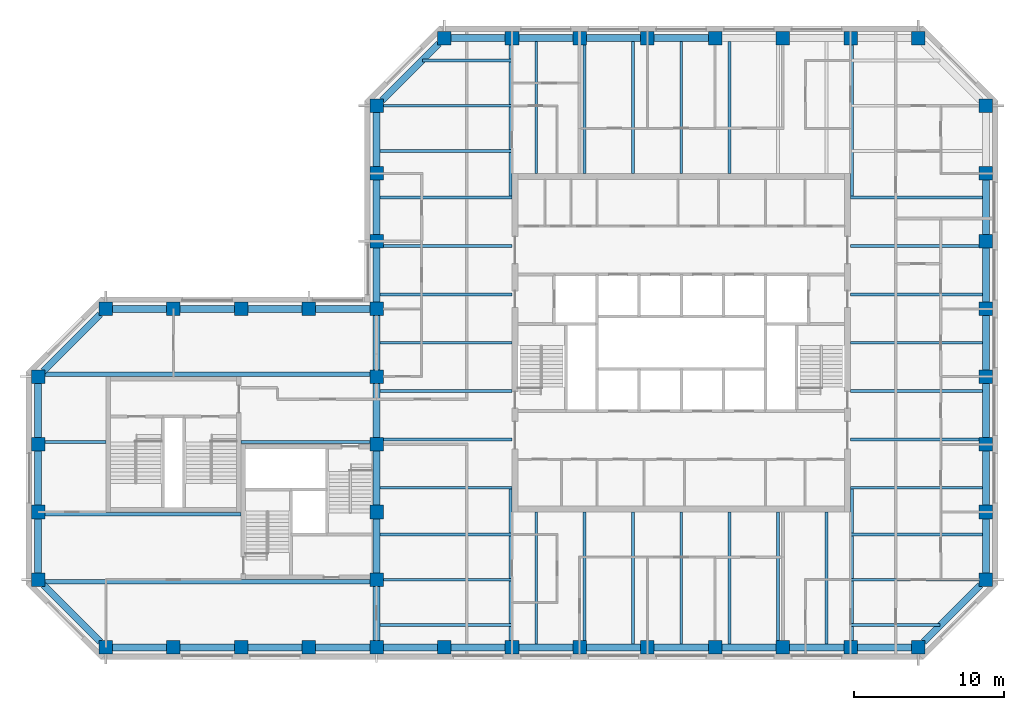
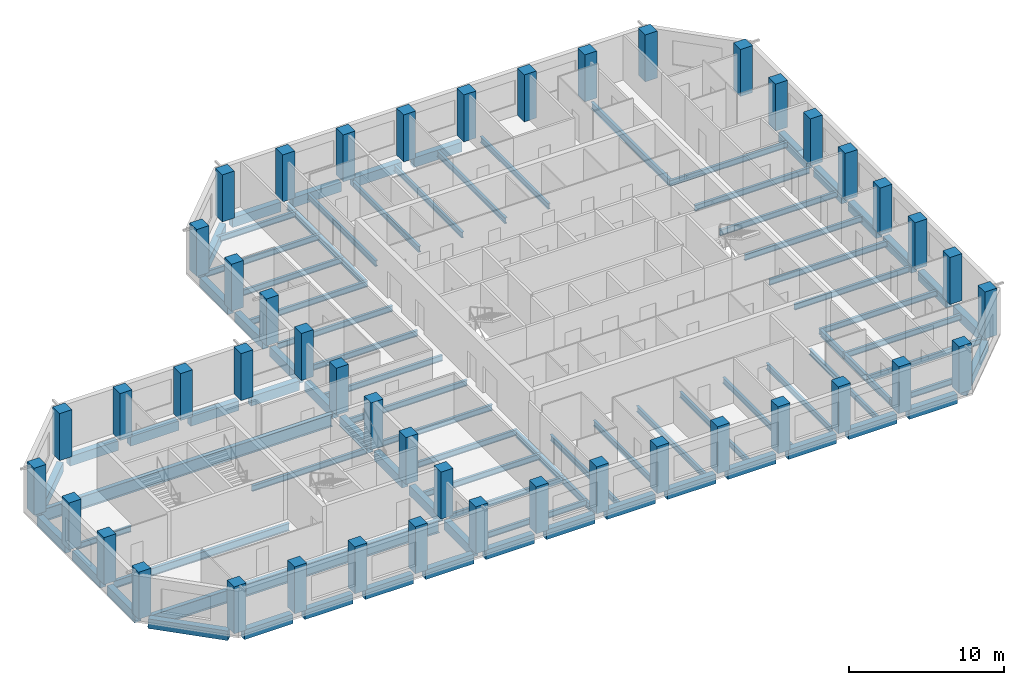
# One storey, part 1 of 10: 85 beams, 45 columns.
"""IFC4 building model written with IfcOpenShell, lengths in metres."""

from ifc_helpers import new_model, si_unit, direction, frame, origin, origin_2d, place, context, subcontext, project, spatial, rectangle, i_section, extrude, material, material_profile, profile_set, type_object, element, save


model = new_model("IFC4")

# Units and contexts
model_context = context("Model", 3, precision=1e-05, world=origin(), true_north=direction((0.0, 1.0)))
body_context = subcontext(model_context, "Body", "Model", "MODEL_VIEW")
ifc_project = project(units=[si_unit("LENGTHUNIT", "METRE"), si_unit("AREAUNIT", "SQUARE_METRE"), si_unit("VOLUMEUNIT", "CUBIC_METRE"), si_unit("PLANEANGLEUNIT", "RADIAN"), si_unit("MASSUNIT", "GRAM", prefix="KILO")], contexts=[model_context])

# Site, building, storey
site_placement = place(None, origin())
site = spatial("IfcSite", under=ifc_project, at=site_placement, CompositionType="ELEMENT")
building_placement = place(site_placement, origin())
building = spatial("IfcBuilding", under=site, at=building_placement, Name="Quoin Convention Tower", CompositionType="ELEMENT")
storey_placement = place(building_placement, frame((0.0, 0.0, 184.699951171875)))
storey = spatial("IfcBuildingStorey", under=building, at=storey_placement, Name="L48", CompositionType="ELEMENT", Elevation=184.699951171875)

# Columns
ifc_material_1 = material(Name="Concrete C50", Category="concrete")
ifc_material_profile_1 = material_profile(ifc_material_1, rectangle(XDim=0.89990234375, YDim=0.89990234375, at=origin_2d()), Name="RC 900x900")
ifc_profile_set_1 = profile_set([ifc_material_profile_1], Name="Concrete C50")
column_type = type_object("IfcColumnType", Name="RC 900x900 C50", PredefinedType="COLUMN", material=ifc_profile_set_1)
for number, where, z_axis, x_axis, name in (
    (1, (18.0, 40.5, 0.0), (0.0, 0.0, 1.0), (1.0, 0.0, 0.0), "col-L48-18000_40500"),
    (2, (22.5, 40.5, 0.0), (0.0, 0.0, 1.0), (1.0, 0.0, 0.0), "col-L48-22500_40500"),
    (3, (27.0, 40.5, 0.0), (0.0, 0.0, 1.0), (1.0, 0.0, 0.0), "col-L48-27000_40500"),
    (4, (31.5, 40.5, 0.0), (0.0, 0.0, 1.0), (1.0, 0.0, 0.0), "col-L48-31500_40500"),
    (5, (36.0, 40.5, 0.0), (0.0, 0.0, 1.0), (1.0, 0.0, 0.0), "col-L48-36000_40500"),
    (6, (40.5, 40.5, 0.0), (0.0, 0.0, 1.0), (1.0, 0.0, 0.0), "col-L48-40500_40500"),
    (7, (45.0, 40.5, 0.0), (0.0, 0.0, 1.0), (1.0, 0.0, 0.0), "col-L48-45000_40500"),
    (8, (49.5, 40.5, 0.0), (0.0, 0.0, 1.0), (1.0, 0.0, 0.0), "col-L48-49500_40500"),
    (9, (54.0, 40.5, 0.0), (0.0, 0.0, 1.0), (1.0, 0.0, 0.0), "col-L48-54000_40500"),
    (10, (58.5, 40.5, 0.0), (0.0, 0.0, 1.0), (1.0, 0.0, 0.0), "col-L48-58500_40500"),
    (11, (63.0, 40.5, 0.0), (0.0, 0.0, 1.0), (1.0, 0.0, 0.0), "col-L48-63000_40500"),
    (12, (67.5, 40.5, 0.0), (0.0, 0.0, 1.0), (1.0, 0.0, 0.0), "col-L48-67500_40500"),
    (13, (72.0, 40.5, 0.0), (0.0, 0.0, 1.0), (1.0, 0.0, 0.0), "col-L48-72000_40500"),
    (14, (13.5, 45.0, 0.0), (0.0, 0.0, 1.0), (1.0, 0.0, 0.0), "col-L48-13500_45000"),
    (15, (36.0, 45.0, 0.0), (0.0, 0.0, 1.0), (1.0, 0.0, 0.0), "web-L48-36000_45000"),
    (16, (76.5, 45.0, 0.0), (0.0, 0.0, 1.0), (1.0, 0.0, 0.0), "col-L48-76500_45000"),
    (17, (13.5, 49.5, 0.0), (0.0, 0.0, 1.0), (1.0, 0.0, 0.0), "col-L48-13500_49500"),
    (18, (36.0, 49.5, 0.0), (0.0, 0.0, 1.0), (1.0, 0.0, 0.0), "web-L48-36000_49500"),
    (19, (76.5, 49.5, 0.0), (0.0, 0.0, 1.0), (1.0, 0.0, 0.0), "col-L48-76500_49500"),
    (20, (13.5, 54.0, 0.0), (0.0, 0.0, 1.0), (1.0, 0.0, 0.0), "col-L48-13500_54000"),
    (21, (36.0, 54.0, 0.0), (0.0, 0.0, 1.0), (1.0, 0.0, 0.0), "web-L48-36000_54000"),
    (22, (76.5, 54.0, 0.0), (0.0, 0.0, 1.0), (1.0, 0.0, 0.0), "col-L48-76500_54000"),
    (23, (13.5, 58.5, 0.0), (0.0, 0.0, 1.0), (1.0, 0.0, 0.0), "col-L48-13500_58500"),
    (24, (36.0, 58.5, 0.0), (0.0, 0.0, 1.0), (1.0, 0.0, 0.0), "web-L48-36000_58500"),
    (25, (76.5, 58.5, 0.0), (0.0, 0.0, 1.0), (1.0, 0.0, 0.0), "col-L48-76500_58500"),
    (26, (18.0, 63.0, 0.0), (0.0, 0.0, 1.0), (1.0, 0.0, 0.0), "col-L48-18000_63000"),
    (27, (22.5, 63.0, 0.0), (0.0, 0.0, 1.0), (1.0, 0.0, 0.0), "col-L48-22500_63000"),
    (28, (27.0, 63.0, 0.0), (0.0, 0.0, 1.0), (1.0, 0.0, 0.0), "col-L48-27000_63000"),
    (29, (31.5, 63.0, 0.0), (0.0, 0.0, 1.0), (1.0, 0.0, 0.0), "col-L48-31500_63000"),
    (30, (36.0, 63.0, 0.0), (0.0, 0.0, 1.0), (1.0, 0.0, 0.0), "col-L48-36000_63000"),
    (31, (76.5, 63.0, 0.0), (0.0, 0.0, 1.0), (1.0, 0.0, 0.0), "col-L48-76500_63000"),
    (32, (36.0, 67.5, 0.0), (0.0, 0.0, 1.0), (1.0, 0.0, 0.0), "col-L48-36000_67500"),
    (33, (76.5, 67.5, 0.0), (0.0, 0.0, 1.0), (1.0, 0.0, 0.0), "col-L48-76500_67500"),
    (34, (36.0, 72.0, 0.0), (0.0, 0.0, 1.0), (1.0, 0.0, 0.0), "col-L48-36000_72000"),
    (35, (76.5, 72.0, 0.0), (0.0, 0.0, 1.0), (1.0, 0.0, 0.0), "col-L48-76500_72000"),
    (36, (36.0, 76.5, 0.0), (0.0, 0.0, 1.0), (1.0, 0.0, 0.0), "col-L48-36000_76500"),
    (37, (76.5, 76.5, 0.0), (0.0, 0.0, 1.0), (1.0, 0.0, 0.0), "col-L48-76500_76500"),
    (38, (40.5, 81.0, 0.0), (0.0, 0.0, 1.0), (1.0, 0.0, 0.0), "col-L48-40500_81000"),
    (39, (45.0, 81.0, 0.0), (0.0, 0.0, 1.0), (1.0, 0.0, 0.0), "col-L48-45000_81000"),
    (40, (49.5, 81.0, 0.0), (0.0, 0.0, 1.0), (1.0, 0.0, 0.0), "col-L48-49500_81000"),
    (41, (54.0, 81.0, 0.0), (0.0, 0.0, 1.0), (1.0, 0.0, 0.0), "col-L48-54000_81000"),
    (42, (58.5, 81.0, 0.0), (0.0, 0.0, 1.0), (1.0, 0.0, 0.0), "col-L48-58500_81000"),
    (43, (63.0, 81.0, 0.0), (0.0, 0.0, 1.0), (1.0, 0.0, 0.0), "col-L48-63000_81000"),
    (44, (67.5, 81.0, 0.0), (0.0, 0.0, 1.0), (1.0, 0.0, 0.0), "col-L48-67500_81000"),
    (45, (72.0, 81.0, 0.0), (0.0, 0.0, 1.0), (1.0, 0.0, 0.0), "col-L48-72000_81000"),
):
    element("IfcColumn", number, at=place(storey_placement, frame(where, z_axis=z_axis, x_axis=x_axis)), inside=storey, type_object=column_type, Name=name, PredefinedType="COLUMN", context=body_context, shape_type="SweptSolid", body=[
        extrude(rectangle(XDim=0.89990234375, YDim=0.89990234375, at=origin_2d()), origin(), (0.0, 0.0, 1.0), 3.699951171875),
    ])

# Beams
ifc_material_2 = material(Name="Steel Grade 300", Category="steel")
ifc_material_profile_2 = material_profile(ifc_material_2, i_section(OverallWidth=0.300048828125, OverallDepth=1.0, WebThickness=0.01611328125, FlangeThickness=0.02001953125, at=origin_2d()), Name="1000WB215")
ifc_profile_set_2 = profile_set([ifc_material_profile_2], Name="Steel Grade 300")
beam_type_1 = type_object("IfcBeamType", Name="1000WB215", PredefinedType="BEAM", material=ifc_profile_set_2)
for number, where, z_axis, x_axis, name in (
    (46, (13.949951171875, 44.85009765625, -0.64990234375), (1.0, 0.0, 0.0), (0.0, 1.0, 0.0), "gir-L48-ST2-1-0"),
    (47, (13.949951171875, 58.64990234375, -0.64990234375), (1.0, 0.0, 0.0), (0.0, 1.0, 0.0), "gir-L48-ST2-4-0"),
):
    element("IfcBeam", number, at=place(storey_placement, frame(where, z_axis=z_axis, x_axis=x_axis)), inside=storey, type_object=beam_type_1, Name=name, PredefinedType="BEAM", context=body_context, shape_type="SweptSolid", body=[
        extrude(i_section(OverallWidth=0.300048828125, OverallDepth=1.0, WebThickness=0.01611328125, FlangeThickness=0.02001953125, at=origin_2d()), origin(), (0.0, 0.0, 1.0), 21.60009765625),
    ])
ifc_material_profile_3 = material_profile(ifc_material_2, i_section(OverallWidth=0.18994140625, OverallDepth=0.4541015625, WebThickness=0.008544921875, FlangeThickness=0.0126953125, FilletRadius=0.011474609375, at=origin_2d()), Name="460UB67.1")
ifc_profile_set_3 = profile_set([ifc_material_profile_3], Name="Steel Grade 300")
beam_type_2 = type_object("IfcBeamType", Name="460UB67.1", PredefinedType="BEAM", material=ifc_profile_set_3)
beam_1_placement = place(storey_placement, frame((36.22509765625, 51.107177734375, -0.376953125), z_axis=(1.0, 0.0, 0.0), x_axis=(0.0, 1.0, 0.0)))
element("IfcBeam", 48, at=beam_1_placement, inside=storey, type_object=beam_type_2, Name="bm-L48-T1W0", PredefinedType="BEAM", context=body_context, shape_type="SweptSolid", body=[
    extrude(i_section(OverallWidth=0.18994140625, OverallDepth=0.4541015625, WebThickness=0.008544921875, FlangeThickness=0.0126953125, FilletRadius=0.011474609375, at=origin_2d()), origin(), (0.0, 0.0, 1.0), 8.77490234375),
])
beam_2_placement = place(storey_placement, frame((36.449951171875, 54.3212890625, -0.376953125), z_axis=(1.0, 0.0, 0.0), x_axis=(0.0, 1.0, 0.0)))
element("IfcBeam", 49, at=beam_2_placement, inside=storey, type_object=beam_type_2, Name="bm-L48-T1W1", PredefinedType="BEAM", context=body_context, shape_type="SweptSolid", body=[
    extrude(i_section(OverallWidth=0.18994140625, OverallDepth=0.4541015625, WebThickness=0.008544921875, FlangeThickness=0.0126953125, FilletRadius=0.011474609375, at=origin_2d()), origin(), (0.0, 0.0, 1.0), 8.550048828125),
])
for number, where, z_axis, x_axis, name in (
    (50, (36.22509765625, 57.53564453125, -0.376953125), (1.0, 0.0, 0.0), (0.0, 1.0, 0.0), "bm-L48-T1W2"),
    (51, (36.22509765625, 60.75, -0.376953125), (1.0, 0.0, 0.0), (0.0, 1.0, 0.0), "bm-L48-T1W3"),
    (52, (36.22509765625, 63.96435546875, -0.376953125), (1.0, 0.0, 0.0), (0.0, 1.0, 0.0), "bm-L48-T1W4"),
):
    element("IfcBeam", number, at=place(storey_placement, frame(where, z_axis=z_axis, x_axis=x_axis)), inside=storey, type_object=beam_type_2, Name=name, PredefinedType="BEAM", context=body_context, shape_type="SweptSolid", body=[
        extrude(i_section(OverallWidth=0.18994140625, OverallDepth=0.4541015625, WebThickness=0.008544921875, FlangeThickness=0.0126953125, FilletRadius=0.011474609375, at=origin_2d()), origin(), (0.0, 0.0, 1.0), 8.77490234375),
    ])
beam_3_placement = place(storey_placement, frame((36.449951171875, 67.1787109375, -0.376953125), z_axis=(1.0, 0.0, 0.0), x_axis=(0.0, 1.0, 0.0)))
element("IfcBeam", 53, at=beam_3_placement, inside=storey, type_object=beam_type_2, Name="bm-L48-T1W5", PredefinedType="BEAM", context=body_context, shape_type="SweptSolid", body=[
    extrude(i_section(OverallWidth=0.18994140625, OverallDepth=0.4541015625, WebThickness=0.008544921875, FlangeThickness=0.0126953125, FilletRadius=0.011474609375, at=origin_2d()), origin(), (0.0, 0.0, 1.0), 8.550048828125),
])
for number, where, z_axis, x_axis, name in (
    (54, (36.22509765625, 70.392822265625, -0.376953125), (1.0, 0.0, 0.0), (0.0, 1.0, 0.0), "bm-L48-T1W6"),
    (55, (67.5, 51.107177734375, -0.376953125), (1.0, 0.0, 0.0), (0.0, 1.0, 0.0), "bm-L48-T1E0"),
):
    element("IfcBeam", number, at=place(storey_placement, frame(where, z_axis=z_axis, x_axis=x_axis)), inside=storey, type_object=beam_type_2, Name=name, PredefinedType="BEAM", context=body_context, shape_type="SweptSolid", body=[
        extrude(i_section(OverallWidth=0.18994140625, OverallDepth=0.4541015625, WebThickness=0.008544921875, FlangeThickness=0.0126953125, FilletRadius=0.011474609375, at=origin_2d()), origin(), (0.0, 0.0, 1.0), 8.77490234375),
    ])
beam_4_placement = place(storey_placement, frame((67.5, 54.3212890625, -0.376953125), z_axis=(1.0, 0.0, 0.0), x_axis=(0.0, 1.0, 0.0)))
element("IfcBeam", 56, at=beam_4_placement, inside=storey, type_object=beam_type_2, Name="bm-L48-T1E1", PredefinedType="BEAM", context=body_context, shape_type="SweptSolid", body=[
    extrude(i_section(OverallWidth=0.18994140625, OverallDepth=0.4541015625, WebThickness=0.008544921875, FlangeThickness=0.0126953125, FilletRadius=0.011474609375, at=origin_2d()), origin(), (0.0, 0.0, 1.0), 8.550048828125),
])
for number, where, z_axis, x_axis, name in (
    (57, (67.5, 57.53564453125, -0.376953125), (1.0, 0.0, 0.0), (0.0, 1.0, 0.0), "bm-L48-T1E2"),
    (58, (67.5, 60.75, -0.376953125), (1.0, 0.0, 0.0), (0.0, 1.0, 0.0), "bm-L48-T1E3"),
    (59, (67.5, 63.96435546875, -0.376953125), (1.0, 0.0, 0.0), (0.0, 1.0, 0.0), "bm-L48-T1E4"),
):
    element("IfcBeam", number, at=place(storey_placement, frame(where, z_axis=z_axis, x_axis=x_axis)), inside=storey, type_object=beam_type_2, Name=name, PredefinedType="BEAM", context=body_context, shape_type="SweptSolid", body=[
        extrude(i_section(OverallWidth=0.18994140625, OverallDepth=0.4541015625, WebThickness=0.008544921875, FlangeThickness=0.0126953125, FilletRadius=0.011474609375, at=origin_2d()), origin(), (0.0, 0.0, 1.0), 8.77490234375),
    ])
beam_5_placement = place(storey_placement, frame((67.5, 67.1787109375, -0.376953125), z_axis=(1.0, 0.0, 0.0), x_axis=(0.0, 1.0, 0.0)))
element("IfcBeam", 60, at=beam_5_placement, inside=storey, type_object=beam_type_2, Name="bm-L48-T1E5", PredefinedType="BEAM", context=body_context, shape_type="SweptSolid", body=[
    extrude(i_section(OverallWidth=0.18994140625, OverallDepth=0.4541015625, WebThickness=0.008544921875, FlangeThickness=0.0126953125, FilletRadius=0.011474609375, at=origin_2d()), origin(), (0.0, 0.0, 1.0), 8.550048828125),
])
for number, where, z_axis, x_axis, name in (
    (61, (67.5, 70.392822265625, -0.376953125), (1.0, 0.0, 0.0), (0.0, 1.0, 0.0), "bm-L48-T1E6"),
    (62, (46.607177734375, 40.72509765625, -0.376953125), (0.0, 1.0, 0.0), (-1.0, 0.0, 0.0), "bm-L48-T1S0"),
):
    element("IfcBeam", number, at=place(storey_placement, frame(where, z_axis=z_axis, x_axis=x_axis)), inside=storey, type_object=beam_type_2, Name=name, PredefinedType="BEAM", context=body_context, shape_type="SweptSolid", body=[
        extrude(i_section(OverallWidth=0.18994140625, OverallDepth=0.4541015625, WebThickness=0.008544921875, FlangeThickness=0.0126953125, FilletRadius=0.011474609375, at=origin_2d()), origin(), (0.0, 0.0, 1.0), 8.77490234375),
    ])
beam_6_placement = place(storey_placement, frame((49.8212890625, 40.949951171875, -0.376953125), z_axis=(0.0, 1.0, 0.0), x_axis=(-1.0, 0.0, 0.0)))
element("IfcBeam", 63, at=beam_6_placement, inside=storey, type_object=beam_type_2, Name="bm-L48-T1S1", PredefinedType="BEAM", context=body_context, shape_type="SweptSolid", body=[
    extrude(i_section(OverallWidth=0.18994140625, OverallDepth=0.4541015625, WebThickness=0.008544921875, FlangeThickness=0.0126953125, FilletRadius=0.011474609375, at=origin_2d()), origin(), (0.0, 0.0, 1.0), 8.550048828125),
])
for number, where, z_axis, x_axis, name in (
    (64, (53.03564453125, 40.72509765625, -0.376953125), (0.0, 1.0, 0.0), (-1.0, 0.0, 0.0), "bm-L48-T1S2"),
    (65, (56.25, 40.72509765625, -0.376953125), (0.0, 1.0, 0.0), (-1.0, 0.0, 0.0), "bm-L48-T1S3"),
    (66, (59.46435546875, 40.72509765625, -0.376953125), (0.0, 1.0, 0.0), (-1.0, 0.0, 0.0), "bm-L48-T1S4"),
):
    element("IfcBeam", number, at=place(storey_placement, frame(where, z_axis=z_axis, x_axis=x_axis)), inside=storey, type_object=beam_type_2, Name=name, PredefinedType="BEAM", context=body_context, shape_type="SweptSolid", body=[
        extrude(i_section(OverallWidth=0.18994140625, OverallDepth=0.4541015625, WebThickness=0.008544921875, FlangeThickness=0.0126953125, FilletRadius=0.011474609375, at=origin_2d()), origin(), (0.0, 0.0, 1.0), 8.77490234375),
    ])
beam_7_placement = place(storey_placement, frame((62.6787109375, 40.949951171875, -0.376953125), z_axis=(0.0, 1.0, 0.0), x_axis=(-1.0, 0.0, 0.0)))
element("IfcBeam", 67, at=beam_7_placement, inside=storey, type_object=beam_type_2, Name="bm-L48-T1S5", PredefinedType="BEAM", context=body_context, shape_type="SweptSolid", body=[
    extrude(i_section(OverallWidth=0.18994140625, OverallDepth=0.4541015625, WebThickness=0.008544921875, FlangeThickness=0.0126953125, FilletRadius=0.011474609375, at=origin_2d()), origin(), (0.0, 0.0, 1.0), 8.550048828125),
])
for number, where, z_axis, x_axis, name in (
    (68, (65.892822265625, 40.72509765625, -0.376953125), (0.0, 1.0, 0.0), (-1.0, 0.0, 0.0), "bm-L48-T1S6"),
    (69, (46.607177734375, 72.0, -0.376953125), (0.0, 1.0, 0.0), (-1.0, 0.0, 0.0), "bm-L48-T1N0"),
):
    element("IfcBeam", number, at=place(storey_placement, frame(where, z_axis=z_axis, x_axis=x_axis)), inside=storey, type_object=beam_type_2, Name=name, PredefinedType="BEAM", context=body_context, shape_type="SweptSolid", body=[
        extrude(i_section(OverallWidth=0.18994140625, OverallDepth=0.4541015625, WebThickness=0.008544921875, FlangeThickness=0.0126953125, FilletRadius=0.011474609375, at=origin_2d()), origin(), (0.0, 0.0, 1.0), 8.77490234375),
    ])
beam_8_placement = place(storey_placement, frame((49.8212890625, 72.0, -0.376953125), z_axis=(0.0, 1.0, 0.0), x_axis=(-1.0, 0.0, 0.0)))
element("IfcBeam", 70, at=beam_8_placement, inside=storey, type_object=beam_type_2, Name="bm-L48-T1N1", PredefinedType="BEAM", context=body_context, shape_type="SweptSolid", body=[
    extrude(i_section(OverallWidth=0.18994140625, OverallDepth=0.4541015625, WebThickness=0.008544921875, FlangeThickness=0.0126953125, FilletRadius=0.011474609375, at=origin_2d()), origin(), (0.0, 0.0, 1.0), 8.550048828125),
])
for number, where, z_axis, x_axis, name in (
    (71, (53.03564453125, 72.0, -0.376953125), (0.0, 1.0, 0.0), (-1.0, 0.0, 0.0), "bm-L48-T1N2"),
    (72, (56.25, 72.0, -0.376953125), (0.0, 1.0, 0.0), (-1.0, 0.0, 0.0), "bm-L48-T1N3"),
    (73, (59.46435546875, 72.0, -0.376953125), (0.0, 1.0, 0.0), (-1.0, 0.0, 0.0), "bm-L48-T1N4"),
    (74, (36.22509765625, 42.0, -0.376953125), (1.0, 0.0, 0.0), (0.0, 1.0, 0.0), "bm-L48-T1SW0"),
):
    element("IfcBeam", number, at=place(storey_placement, frame(where, z_axis=z_axis, x_axis=x_axis)), inside=storey, type_object=beam_type_2, Name=name, PredefinedType="BEAM", context=body_context, shape_type="SweptSolid", body=[
        extrude(i_section(OverallWidth=0.18994140625, OverallDepth=0.4541015625, WebThickness=0.008544921875, FlangeThickness=0.0126953125, FilletRadius=0.011474609375, at=origin_2d()), origin(), (0.0, 0.0, 1.0), 8.77490234375),
    ])
beam_9_placement = place(storey_placement, frame((36.449951171875, 45.0, -0.376953125), z_axis=(1.0, 0.0, 0.0), x_axis=(0.0, 1.0, 0.0)))
element("IfcBeam", 75, at=beam_9_placement, inside=storey, type_object=beam_type_2, Name="bm-L48-T1SW1", PredefinedType="BEAM", context=body_context, shape_type="SweptSolid", body=[
    extrude(i_section(OverallWidth=0.18994140625, OverallDepth=0.4541015625, WebThickness=0.008544921875, FlangeThickness=0.0126953125, FilletRadius=0.011474609375, at=origin_2d()), origin(), (0.0, 0.0, 1.0), 8.550048828125),
])
beam_10_placement = place(storey_placement, frame((36.22509765625, 48.0, -0.376953125), z_axis=(1.0, 0.0, 0.0), x_axis=(0.0, 1.0, 0.0)))
element("IfcBeam", 76, at=beam_10_placement, inside=storey, type_object=beam_type_2, Name="bm-L48-T1SW2", PredefinedType="BEAM", context=body_context, shape_type="SweptSolid", body=[
    extrude(i_section(OverallWidth=0.18994140625, OverallDepth=0.4541015625, WebThickness=0.008544921875, FlangeThickness=0.0126953125, FilletRadius=0.011474609375, at=origin_2d()), origin(), (0.0, 0.0, 1.0), 8.77490234375),
])
beam_11_placement = place(storey_placement, frame((67.5, 42.0, -0.376953125), z_axis=(1.0, 0.0, 0.0), x_axis=(0.0, 1.0, 0.0)))
element("IfcBeam", 77, at=beam_11_placement, inside=storey, type_object=beam_type_2, Name="bm-L48-T1SE0", PredefinedType="BEAM", context=body_context, shape_type="SweptSolid", body=[
    extrude(i_section(OverallWidth=0.18994140625, OverallDepth=0.4541015625, WebThickness=0.008544921875, FlangeThickness=0.0126953125, FilletRadius=0.011474609375, at=origin_2d()), origin(), (0.0, 0.0, 1.0), 5.935791015625),
])
beam_12_placement = place(storey_placement, frame((67.5, 45.0, -0.376953125), z_axis=(1.0, 0.0, 0.0), x_axis=(0.0, 1.0, 0.0)))
element("IfcBeam", 78, at=beam_12_placement, inside=storey, type_object=beam_type_2, Name="bm-L48-T1SE1", PredefinedType="BEAM", context=body_context, shape_type="SweptSolid", body=[
    extrude(i_section(OverallWidth=0.18994140625, OverallDepth=0.4541015625, WebThickness=0.008544921875, FlangeThickness=0.0126953125, FilletRadius=0.011474609375, at=origin_2d()), origin(), (0.0, 0.0, 1.0), 8.550048828125),
])
beam_13_placement = place(storey_placement, frame((67.5, 48.0, -0.376953125), z_axis=(1.0, 0.0, 0.0), x_axis=(0.0, 1.0, 0.0)))
element("IfcBeam", 79, at=beam_13_placement, inside=storey, type_object=beam_type_2, Name="bm-L48-T1SE2", PredefinedType="BEAM", context=body_context, shape_type="SweptSolid", body=[
    extrude(i_section(OverallWidth=0.18994140625, OverallDepth=0.4541015625, WebThickness=0.008544921875, FlangeThickness=0.0126953125, FilletRadius=0.011474609375, at=origin_2d()), origin(), (0.0, 0.0, 1.0), 8.77490234375),
])
beam_14_placement = place(storey_placement, frame((39.064208984375, 79.5, -0.376953125), z_axis=(1.0, 0.0, 0.0), x_axis=(0.0, 1.0, 0.0)))
element("IfcBeam", 80, at=beam_14_placement, inside=storey, type_object=beam_type_2, Name="bm-L48-T1NW0", PredefinedType="BEAM", context=body_context, shape_type="SweptSolid", body=[
    extrude(i_section(OverallWidth=0.18994140625, OverallDepth=0.4541015625, WebThickness=0.008544921875, FlangeThickness=0.0126953125, FilletRadius=0.011474609375, at=origin_2d()), origin(), (0.0, 0.0, 1.0), 5.935791015625),
])
beam_15_placement = place(storey_placement, frame((36.449951171875, 76.5, -0.376953125), z_axis=(1.0, 0.0, 0.0), x_axis=(0.0, 1.0, 0.0)))
element("IfcBeam", 81, at=beam_15_placement, inside=storey, type_object=beam_type_2, Name="bm-L48-T1NW1", PredefinedType="BEAM", context=body_context, shape_type="SweptSolid", body=[
    extrude(i_section(OverallWidth=0.18994140625, OverallDepth=0.4541015625, WebThickness=0.008544921875, FlangeThickness=0.0126953125, FilletRadius=0.011474609375, at=origin_2d()), origin(), (0.0, 0.0, 1.0), 8.550048828125),
])
beam_16_placement = place(storey_placement, frame((36.22509765625, 73.5, -0.376953125), z_axis=(1.0, 0.0, 0.0), x_axis=(0.0, 1.0, 0.0)))
element("IfcBeam", 82, at=beam_16_placement, inside=storey, type_object=beam_type_2, Name="bm-L48-T1NW2", PredefinedType="BEAM", context=body_context, shape_type="SweptSolid", body=[
    extrude(i_section(OverallWidth=0.18994140625, OverallDepth=0.4541015625, WebThickness=0.008544921875, FlangeThickness=0.0126953125, FilletRadius=0.011474609375, at=origin_2d()), origin(), (0.0, 0.0, 1.0), 8.77490234375),
])
beam_17_placement = place(storey_placement, frame((13.949951171875, 54.14990234375, -0.376953125), z_axis=(1.0, 0.0, 0.0), x_axis=(0.0, 1.0, 0.0)))
element("IfcBeam", 83, at=beam_17_placement, inside=storey, type_object=beam_type_2, Name="gir-L48-ST2-3-0", PredefinedType="BEAM", context=body_context, shape_type="SweptSolid", body=[
    extrude(i_section(OverallWidth=0.18994140625, OverallDepth=0.4541015625, WebThickness=0.008544921875, FlangeThickness=0.0126953125, FilletRadius=0.011474609375, at=origin_2d()), origin(), (0.0, 0.0, 1.0), 4.050048828125),
])
beam_18_placement = place(storey_placement, frame((27.0, 54.14990234375, -0.376953125), z_axis=(1.0, 0.0, 0.0), x_axis=(0.0, 1.0, 0.0)))
element("IfcBeam", 84, at=beam_18_placement, inside=storey, type_object=beam_type_2, Name="gir-L48-ST2-3-1", PredefinedType="BEAM", context=body_context, shape_type="SweptSolid", body=[
    extrude(i_section(OverallWidth=0.18994140625, OverallDepth=0.4541015625, WebThickness=0.008544921875, FlangeThickness=0.0126953125, FilletRadius=0.011474609375, at=origin_2d()), origin(), (0.0, 0.0, 1.0), 8.550048828125),
])
ifc_material_profile_4 = material_profile(ifc_material_2, i_section(OverallWidth=0.208984375, OverallDepth=0.528076171875, WebThickness=0.009521484375, FlangeThickness=0.01318359375, FilletRadius=0.013916015625, at=origin_2d()), Name="530UB82.0")
ifc_profile_set_4 = profile_set([ifc_material_profile_4], Name="Steel Grade 300")
beam_type_3 = type_object("IfcBeamType", Name="530UB82.0", PredefinedType="BEAM", material=ifc_profile_set_4)
for number, where, z_axis, x_axis, name in (
    (85, (44.904541015625, 40.949951171875, -0.4140625), (0.0, 1.0, 0.0), (-1.0, 0.0, 0.0), "gir-L48-T1SW"),
    (86, (67.595458984375, 40.949951171875, -0.4140625), (0.0, 1.0, 0.0), (-1.0, 0.0, 0.0), "gir-L48-T1SE"),
    (87, (44.904541015625, 80.550048828125, -0.4140625), (0.0, -1.0, 0.0), (1.0, 0.0, 0.0), "gir-L48-T1NW"),
    (88, (67.595458984375, 80.550048828125, -0.4140625), (0.0, -1.0, 0.0), (1.0, 0.0, 0.0), "gir-L48-T1NE"),
):
    element("IfcBeam", number, at=place(storey_placement, frame(where, z_axis=z_axis, x_axis=x_axis)), inside=storey, type_object=beam_type_3, Name=name, PredefinedType="BEAM", context=body_context, shape_type="SweptSolid", body=[
        extrude(i_section(OverallWidth=0.208984375, OverallDepth=0.528076171875, WebThickness=0.009521484375, FlangeThickness=0.01318359375, FilletRadius=0.013916015625, at=origin_2d()), origin(), (0.0, 0.0, 1.0), 10.062255859375),
    ])
ifc_material_profile_5 = material_profile(ifc_material_2, i_section(OverallWidth=0.22802734375, OverallDepth=0.60205078125, WebThickness=0.010498046875, FlangeThickness=0.014892578125, FilletRadius=0.013916015625, at=origin_2d()), Name="610UB101")
ifc_profile_set_5 = profile_set([ifc_material_profile_5], Name="Steel Grade 300")
beam_type_4 = type_object("IfcBeamType", Name="610UB101", PredefinedType="BEAM", material=ifc_profile_set_5)
beam_19_placement = place(storey_placement, frame((13.949951171875, 49.35009765625, -0.450927734375), z_axis=(1.0, 0.0, 0.0), x_axis=(0.0, 1.0, 0.0)))
element("IfcBeam", 89, at=beam_19_placement, inside=storey, type_object=beam_type_4, Name="gir-L48-ST2-2-0", PredefinedType="BEAM", context=body_context, shape_type="SweptSolid", body=[
    extrude(i_section(OverallWidth=0.22802734375, OverallDepth=0.60205078125, WebThickness=0.010498046875, FlangeThickness=0.014892578125, FilletRadius=0.013916015625, at=origin_2d()), origin(), (0.0, 0.0, 1.0), 13.050048828125),
])
ifc_material_profile_6 = material_profile(ifc_material_1, rectangle(XDim=0.449951171875, YDim=0.75, at=origin_2d()), Name="RC 450x750")
ifc_profile_set_6 = profile_set([ifc_material_profile_6], Name="Concrete C50")
beam_type_5 = type_object("IfcBeamType", Name="RC 450x750 C50", PredefinedType="SPANDREL", material=ifc_profile_set_6)
for number, where, z_axis, x_axis, name in (
    (90, (36.449951171875, 40.5, -0.52490234375), (1.0, 0.0, 0.0), (0.0, 1.0, 0.0), "spd-L48-36000_40500-40500_40500"),
    (91, (40.949951171875, 40.5, -0.52490234375), (1.0, 0.0, 0.0), (0.0, 1.0, 0.0), "spd-L48-40500_40500-45000_40500"),
    (92, (45.449951171875, 40.5, -0.52490234375), (1.0, 0.0, 0.0), (0.0, 1.0, 0.0), "spd-L48-45000_40500-49500_40500"),
    (93, (49.949951171875, 40.5, -0.52490234375), (1.0, 0.0, 0.0), (0.0, 1.0, 0.0), "spd-L48-49500_40500-54000_40500"),
    (94, (54.449951171875, 40.5, -0.52490234375), (1.0, 0.0, 0.0), (0.0, 1.0, 0.0), "spd-L48-54000_40500-58500_40500"),
    (95, (58.949951171875, 40.5, -0.52490234375), (1.0, 0.0, 0.0), (0.0, 1.0, 0.0), "spd-L48-58500_40500-63000_40500"),
    (96, (63.449951171875, 40.5, -0.52490234375), (1.0, 0.0, 0.0), (0.0, 1.0, 0.0), "spd-L48-63000_40500-67500_40500"),
    (97, (67.949951171875, 40.5, -0.52490234375), (1.0, 0.0, 0.0), (0.0, 1.0, 0.0), "spd-L48-67500_40500-72000_40500"),
):
    element("IfcBeam", number, at=place(storey_placement, frame(where, z_axis=z_axis, x_axis=x_axis)), inside=storey, type_object=beam_type_5, Name=name, PredefinedType="SPANDREL", context=body_context, shape_type="SweptSolid", body=[
        extrude(rectangle(XDim=0.449951171875, YDim=0.75, at=origin_2d()), origin(), (0.0, 0.0, 1.0), 3.60009765625),
    ])
beam_20_placement = place(storey_placement, frame((72.364990234375, 40.864990234375, -0.52490234375), z_axis=(0.707106781187, 0.707106781187, 0.0), x_axis=(-0.707106781187, 0.707106781187, 0.0)))
element("IfcBeam", 98, at=beam_20_placement, inside=storey, type_object=beam_type_5, Name="spd-L48-72000_40500-76500_45000", PredefinedType="SPANDREL", context=body_context, shape_type="SweptSolid", body=[
    extrude(rectangle(XDim=0.449951171875, YDim=0.75, at=origin_2d()), origin(), (0.0, 0.0, 1.0), 5.33154296875),
])
for number, where, z_axis, x_axis, name in (
    (99, (76.5, 45.449951171875, -0.52490234375), (0.0, 1.0, 0.0), (-1.0, 0.0, 0.0), "spd-L48-76500_45000-76500_49500"),
    (100, (76.5, 49.949951171875, -0.52490234375), (0.0, 1.0, 0.0), (-1.0, 0.0, 0.0), "spd-L48-76500_49500-76500_54000"),
    (101, (76.5, 54.449951171875, -0.52490234375), (0.0, 1.0, 0.0), (-1.0, 0.0, 0.0), "spd-L48-76500_54000-76500_58500"),
    (102, (76.5, 58.949951171875, -0.52490234375), (0.0, 1.0, 0.0), (-1.0, 0.0, 0.0), "spd-L48-76500_58500-76500_63000"),
    (103, (76.5, 63.449951171875, -0.52490234375), (0.0, 1.0, 0.0), (-1.0, 0.0, 0.0), "spd-L48-76500_63000-76500_67500"),
    (104, (76.5, 67.949951171875, -0.52490234375), (0.0, 1.0, 0.0), (-1.0, 0.0, 0.0), "spd-L48-76500_67500-76500_72000"),
    (105, (58.050048828125, 81.0, -0.52490234375), (-1.0, 0.0, 0.0), (0.0, -1.0, 0.0), "spd-L48-58500_81000-54000_81000"),
    (106, (53.550048828125, 81.0, -0.52490234375), (-1.0, 0.0, 0.0), (0.0, -1.0, 0.0), "spd-L48-54000_81000-49500_81000"),
    (107, (49.050048828125, 81.0, -0.52490234375), (-1.0, 0.0, 0.0), (0.0, -1.0, 0.0), "spd-L48-49500_81000-45000_81000"),
    (108, (44.550048828125, 81.0, -0.52490234375), (-1.0, 0.0, 0.0), (0.0, -1.0, 0.0), "spd-L48-45000_81000-40500_81000"),
):
    element("IfcBeam", number, at=place(storey_placement, frame(where, z_axis=z_axis, x_axis=x_axis)), inside=storey, type_object=beam_type_5, Name=name, PredefinedType="SPANDREL", context=body_context, shape_type="SweptSolid", body=[
        extrude(rectangle(XDim=0.449951171875, YDim=0.75, at=origin_2d()), origin(), (0.0, 0.0, 1.0), 3.60009765625),
    ])
beam_21_placement = place(storey_placement, frame((40.135009765625, 80.635009765625, -0.52490234375), z_axis=(-0.707106781187, -0.707106781187, 0.0), x_axis=(0.707106781187, -0.707106781187, 0.0)))
element("IfcBeam", 109, at=beam_21_placement, inside=storey, type_object=beam_type_5, Name="spd-L48-40500_81000-36000_76500", PredefinedType="SPANDREL", context=body_context, shape_type="SweptSolid", body=[
    extrude(rectangle(XDim=0.449951171875, YDim=0.75, at=origin_2d()), origin(), (0.0, 0.0, 1.0), 5.33154296875),
])
for number, where, z_axis, x_axis, name in (
    (110, (36.0, 76.050048828125, -0.52490234375), (0.0, -1.0, 0.0), (1.0, 0.0, 0.0), "spd-L48-36000_76500-36000_72000"),
    (111, (36.0, 71.550048828125, -0.52490234375), (0.0, -1.0, 0.0), (1.0, 0.0, 0.0), "spd-L48-36000_72000-36000_67500"),
    (112, (36.0, 67.050048828125, -0.52490234375), (0.0, -1.0, 0.0), (1.0, 0.0, 0.0), "spd-L48-36000_67500-36000_63000"),
    (113, (35.550048828125, 63.0, -0.52490234375), (-1.0, 0.0, 0.0), (0.0, -1.0, 0.0), "spd-L48-36000_63000-31500_63000"),
    (114, (31.050048828125, 63.0, -0.52490234375), (-1.0, 0.0, 0.0), (0.0, -1.0, 0.0), "spd-L48-31500_63000-27000_63000"),
    (115, (26.550048828125, 63.0, -0.52490234375), (-1.0, 0.0, 0.0), (0.0, -1.0, 0.0), "spd-L48-27000_63000-22500_63000"),
    (116, (22.050048828125, 63.0, -0.52490234375), (-1.0, 0.0, 0.0), (0.0, -1.0, 0.0), "spd-L48-22500_63000-18000_63000"),
):
    element("IfcBeam", number, at=place(storey_placement, frame(where, z_axis=z_axis, x_axis=x_axis)), inside=storey, type_object=beam_type_5, Name=name, PredefinedType="SPANDREL", context=body_context, shape_type="SweptSolid", body=[
        extrude(rectangle(XDim=0.449951171875, YDim=0.75, at=origin_2d()), origin(), (0.0, 0.0, 1.0), 3.60009765625),
    ])
beam_22_placement = place(storey_placement, frame((17.635009765625, 62.635009765625, -0.52490234375), z_axis=(-0.707106781187, -0.707106781187, 0.0), x_axis=(0.707106781187, -0.707106781187, 0.0)))
element("IfcBeam", 117, at=beam_22_placement, inside=storey, type_object=beam_type_5, Name="spd-L48-18000_63000-13500_58500", PredefinedType="SPANDREL", context=body_context, shape_type="SweptSolid", body=[
    extrude(rectangle(XDim=0.449951171875, YDim=0.75, at=origin_2d()), origin(), (0.0, 0.0, 1.0), 5.33154296875),
])
for number, where, z_axis, x_axis, name in (
    (118, (13.5, 58.050048828125, -0.52490234375), (0.0, -1.0, 0.0), (1.0, 0.0, 0.0), "spd-L48-13500_58500-13500_54000"),
    (119, (13.5, 53.550048828125, -0.52490234375), (0.0, -1.0, 0.0), (1.0, 0.0, 0.0), "spd-L48-13500_54000-13500_49500"),
    (120, (13.5, 49.050048828125, -0.52490234375), (0.0, -1.0, 0.0), (1.0, 0.0, 0.0), "spd-L48-13500_49500-13500_45000"),
):
    element("IfcBeam", number, at=place(storey_placement, frame(where, z_axis=z_axis, x_axis=x_axis)), inside=storey, type_object=beam_type_5, Name=name, PredefinedType="SPANDREL", context=body_context, shape_type="SweptSolid", body=[
        extrude(rectangle(XDim=0.449951171875, YDim=0.75, at=origin_2d()), origin(), (0.0, 0.0, 1.0), 3.60009765625),
    ])
beam_23_placement = place(storey_placement, frame((13.864990234375, 44.635009765625, -0.52490234375), z_axis=(0.707106781187, -0.707106781187, 0.0), x_axis=(0.707106781187, 0.707106781187, 0.0)))
element("IfcBeam", 121, at=beam_23_placement, inside=storey, type_object=beam_type_5, Name="spd-L48-13500_45000-18000_40500", PredefinedType="SPANDREL", context=body_context, shape_type="SweptSolid", body=[
    extrude(rectangle(XDim=0.449951171875, YDim=0.75, at=origin_2d()), origin(), (0.0, 0.0, 1.0), 5.33154296875),
])
for number, where, z_axis, x_axis, name in (
    (122, (18.449951171875, 40.5, -0.52490234375), (1.0, 0.0, 0.0), (0.0, 1.0, 0.0), "spd-L48-18000_40500-22500_40500"),
    (123, (22.949951171875, 40.5, -0.52490234375), (1.0, 0.0, 0.0), (0.0, 1.0, 0.0), "spd-L48-22500_40500-27000_40500"),
    (124, (27.449951171875, 40.5, -0.52490234375), (1.0, 0.0, 0.0), (0.0, 1.0, 0.0), "spd-L48-27000_40500-31500_40500"),
    (125, (31.949951171875, 40.5, -0.52490234375), (1.0, 0.0, 0.0), (0.0, 1.0, 0.0), "spd-L48-31500_40500-36000_40500"),
    (126, (36.0, 40.949951171875, -0.52490234375), (0.0, 1.0, 0.0), (-1.0, 0.0, 0.0), "spd-L48-36000_40500-36000_45000"),
    (127, (36.0, 45.449951171875, -0.52490234375), (0.0, 1.0, 0.0), (-1.0, 0.0, 0.0), "spd-L48-36000_45000-36000_49500"),
    (128, (36.0, 49.949951171875, -0.52490234375), (0.0, 1.0, 0.0), (-1.0, 0.0, 0.0), "spd-L48-36000_49500-36000_54000"),
    (129, (36.0, 54.449951171875, -0.52490234375), (0.0, 1.0, 0.0), (-1.0, 0.0, 0.0), "spd-L48-36000_54000-36000_58500"),
    (130, (36.0, 58.949951171875, -0.52490234375), (0.0, 1.0, 0.0), (-1.0, 0.0, 0.0), "spd-L48-36000_58500-36000_63000"),
):
    element("IfcBeam", number, at=place(storey_placement, frame(where, z_axis=z_axis, x_axis=x_axis)), inside=storey, type_object=beam_type_5, Name=name, PredefinedType="SPANDREL", context=body_context, shape_type="SweptSolid", body=[
        extrude(rectangle(XDim=0.449951171875, YDim=0.75, at=origin_2d()), origin(), (0.0, 0.0, 1.0), 3.60009765625),
    ])

save(model, "model.ifc")
